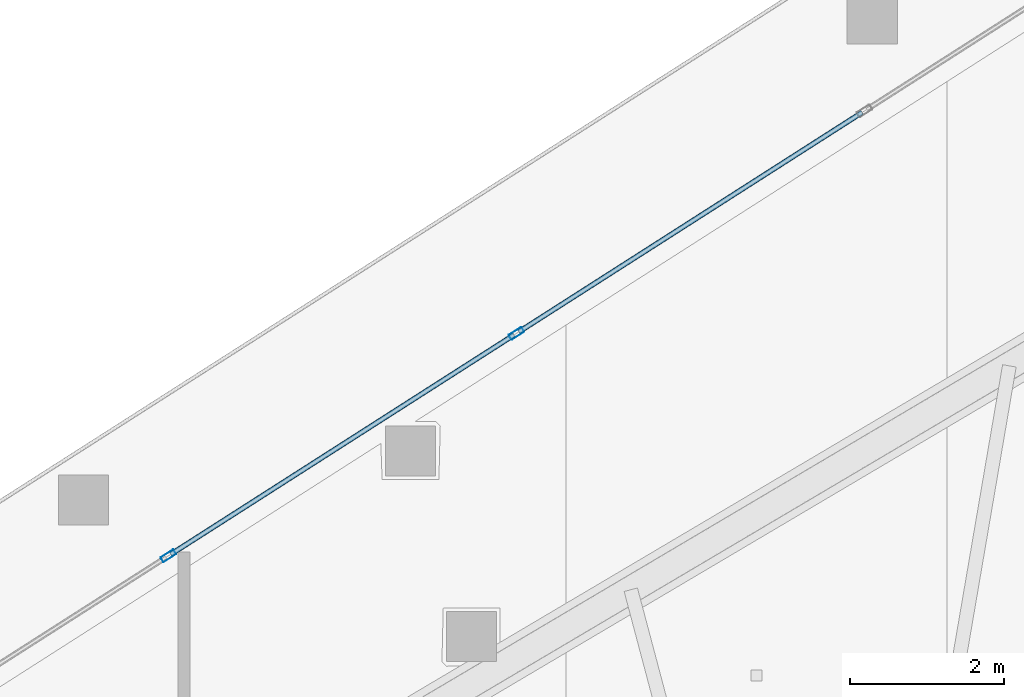
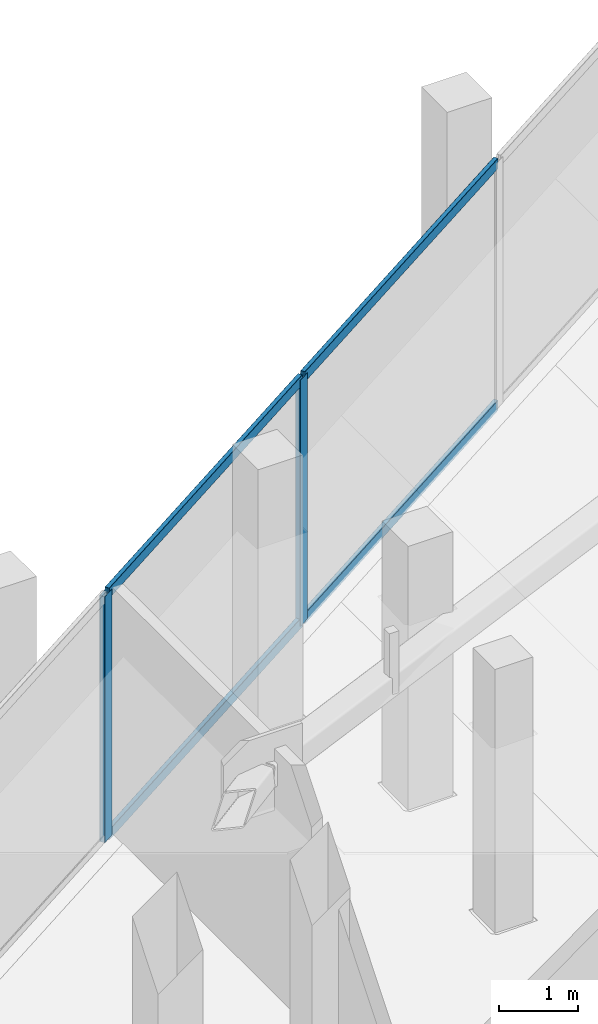
# One storey, part 22 of 43: 6 members, 1 element without a shape of its own.
"""IFC4 building model written with IfcOpenShell, lengths in metres."""

from ifc_helpers import new_model, si_unit, direction, frame, origin, origin_2d, place, context, subcontext, project, spatial, hollow_rectangle, extrude, material, layer, layer_set, material_profile, profile_set, type_object, element, aggregate, save


model = new_model("IFC4")

# Units and contexts
model_context = context("Model", 3, precision=1e-05, world=origin(), true_north=direction((0.0, 1.0)))
body_context = subcontext(model_context, "Body", "Model", "MODEL_VIEW")
ifc_project = project(units=[si_unit("LENGTHUNIT", "METRE"), si_unit("AREAUNIT", "SQUARE_METRE"), si_unit("VOLUMEUNIT", "CUBIC_METRE"), si_unit("PLANEANGLEUNIT", "RADIAN"), si_unit("MASSUNIT", "GRAM", prefix="KILO")], contexts=[model_context])

# Site, building, storey
site_placement = place(None, origin())
site = spatial("IfcSite", under=ifc_project, at=site_placement, CompositionType="ELEMENT")
building_placement = place(site_placement, origin())
building = spatial("IfcBuilding", under=site, at=building_placement, Name="Qorvath Tower", CompositionType="ELEMENT")
storey_placement = place(building_placement, frame((0.0, 0.0, 150.300048828125)))
storey = spatial("IfcBuildingStorey", under=building, at=storey_placement, Name="L34", CompositionType="ELEMENT", Elevation=150.300048828125)

# Curtain wall, members
ifc_material_1 = material(Name="Anodised aluminium and triple low-E glass", Category="aluminium")
ifc_layer = layer(ifc_material_1, 0.179931640625)
ifc_layer_set = layer_set([ifc_layer], Name="CW-SYS-5")
curtain_wall_type = type_object("IfcCurtainWallType", Name="CW-SYS-5", PredefinedType="NOTDEFINED", material=ifc_layer_set)
curtain_wall_placement = place(storey_placement, origin())
curtain_wall = element("IfcCurtainWall", 1, at=curtain_wall_placement, inside=storey, type_object=curtain_wall_type, Name="Curtain Wall CW-5 CW-T-L34-16.1", PredefinedType="NOTDEFINED")
ifc_material_2 = material(Name="Anodised aluminium 6063-T6", Category="aluminium")
ifc_material_profile_1 = material_profile(ifc_material_2, hollow_rectangle(XDim=0.074951171875, YDim=0.199951171875, WallThickness=0.00390625, InnerFilletRadius=0.00390625, OuterFilletRadius=0.008056640625, at=origin_2d()), Name="CWM 200x75")
ifc_profile_set_1 = profile_set([ifc_material_profile_1], Name="Anodised aluminium 6063-T6")
member_type_1 = type_object("IfcMemberType", Name="CWM-200", PredefinedType="MULLION", material=ifc_profile_set_1)
member_1_placement = place(storey_placement, frame((-29.64453125, 20.98486328125, 0.0), z_axis=(0.0, 0.0, 1.0), x_axis=(0.538535404822, -0.842602882592, 0.0)))
member_1 = element("IfcMember", 2, at=member_1_placement, type_object=member_type_1, Name="CW-5 mullion 4", PredefinedType="MULLION", context=body_context, shape_type="SweptSolid", body=[
    extrude(hollow_rectangle(XDim=0.074951171875, YDim=0.199951171875, WallThickness=0.00390625, InnerFilletRadius=0.00390625, OuterFilletRadius=0.008056640625, at=origin_2d()), origin(), (0.0, 0.0, 1.0), 3.780029296875),
])
member_2_placement = place(storey_placement, frame((-34.151123046875, 18.1044921875, 0.0), z_axis=(0.0, 0.0, 1.0), x_axis=(0.538535404822, -0.842602882592, 0.0)))
member_2 = element("IfcMember", 3, at=member_2_placement, type_object=member_type_1, Name="CW-5 mullion 5", PredefinedType="MULLION", context=body_context, shape_type="SweptSolid", body=[
    extrude(hollow_rectangle(XDim=0.074951171875, YDim=0.199951171875, WallThickness=0.00390625, InnerFilletRadius=0.00390625, OuterFilletRadius=0.008056640625, at=origin_2d()), origin(), (0.0, 0.0, 1.0), 3.780029296875),
])
ifc_material_3 = material(Name="Anodised aluminium 6063-T6", Category="aluminium")
ifc_material_profile_2 = material_profile(ifc_material_3, hollow_rectangle(XDim=0.06494140625, YDim=0.159912109375, WallThickness=0.00341796875, InnerFilletRadius=0.00341796875, OuterFilletRadius=0.007080078125, at=origin_2d()), Name="CWT 160x65")
ifc_profile_set_2 = profile_set([ifc_material_profile_2], Name="Anodised aluminium 6063-T6")
member_type_2 = type_object("IfcMemberType", Name="CWT-160", PredefinedType="USERDEFINED", material=ifc_profile_set_2)
member_3_placement = place(storey_placement, frame((-25.16943359375, 23.844970703125, 0.032470703125), z_axis=(-0.842607560857, -0.538528085049, 0.0), x_axis=(0.538528085049, -0.842607560857, 0.0)))
member_3 = element("IfcMember", 4, at=member_3_placement, type_object=member_type_2, Name="CW-5 transom 3.1", ObjectType="TRANSOM", PredefinedType="USERDEFINED", context=body_context, shape_type="SweptSolid", body=[
    extrude(hollow_rectangle(XDim=0.06494140625, YDim=0.159912109375, WallThickness=0.00341796875, InnerFilletRadius=0.00341796875, OuterFilletRadius=0.007080078125, at=origin_2d()), origin(), (0.0, 0.0, 1.0), 5.2734375),
])
member_4_placement = place(storey_placement, frame((-25.16943359375, 23.844970703125, 3.74755859375), z_axis=(-0.842607560857, -0.538528085049, 0.0), x_axis=(0.538528085049, -0.842607560857, 0.0)))
member_4 = element("IfcMember", 5, at=member_4_placement, type_object=member_type_2, Name="CW-5 transom 3.2", ObjectType="TRANSOM", PredefinedType="USERDEFINED", context=body_context, shape_type="SweptSolid", body=[
    extrude(hollow_rectangle(XDim=0.06494140625, YDim=0.159912109375, WallThickness=0.00341796875, InnerFilletRadius=0.00341796875, OuterFilletRadius=0.007080078125, at=origin_2d()), origin(), (0.0, 0.0, 1.0), 5.2734375),
])
member_5_placement = place(storey_placement, frame((-29.676025390625, 20.964599609375, 0.032470703125), z_axis=(-0.842607560857, -0.538528085049, 0.0), x_axis=(0.538528085049, -0.842607560857, 0.0)))
member_5 = element("IfcMember", 6, at=member_5_placement, type_object=member_type_2, Name="CW-5 transom 4.1", ObjectType="TRANSOM", PredefinedType="USERDEFINED", context=body_context, shape_type="SweptSolid", body=[
    extrude(hollow_rectangle(XDim=0.06494140625, YDim=0.159912109375, WallThickness=0.00341796875, InnerFilletRadius=0.00341796875, OuterFilletRadius=0.007080078125, at=origin_2d()), origin(), (0.0, 0.0, 1.0), 5.2734375),
])
member_6_placement = place(storey_placement, frame((-29.676025390625, 20.964599609375, 3.74755859375), z_axis=(-0.842607560857, -0.538528085049, 0.0), x_axis=(0.538528085049, -0.842607560857, 0.0)))
member_6 = element("IfcMember", 7, at=member_6_placement, type_object=member_type_2, Name="CW-5 transom 4.2", ObjectType="TRANSOM", PredefinedType="USERDEFINED", context=body_context, shape_type="SweptSolid", body=[
    extrude(hollow_rectangle(XDim=0.06494140625, YDim=0.159912109375, WallThickness=0.00341796875, InnerFilletRadius=0.00341796875, OuterFilletRadius=0.007080078125, at=origin_2d()), origin(), (0.0, 0.0, 1.0), 5.2734375),
])
aggregate(curtain_wall, [member_1, member_2, member_3, member_4, member_5, member_6])

save(model, "model.ifc")
